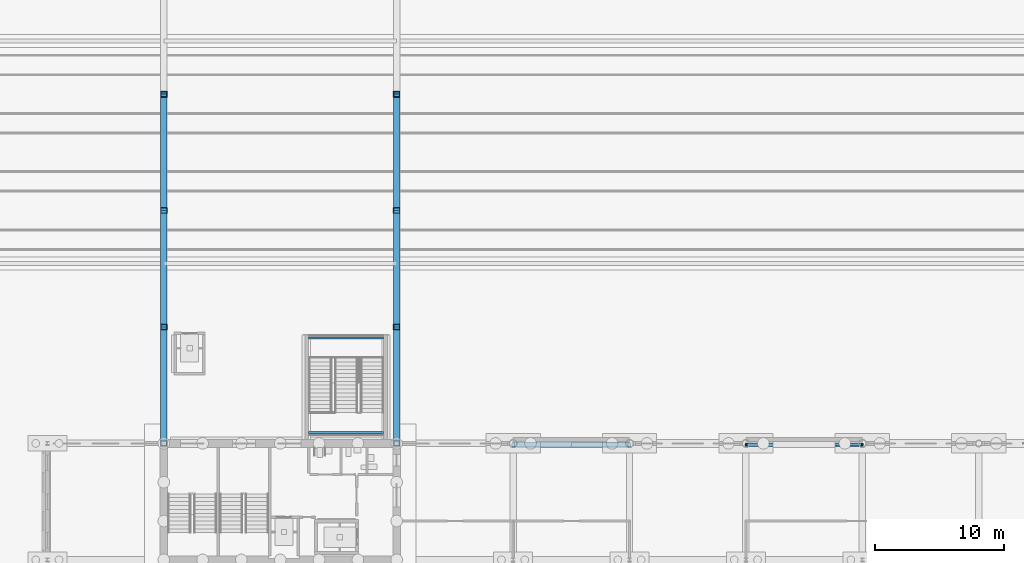
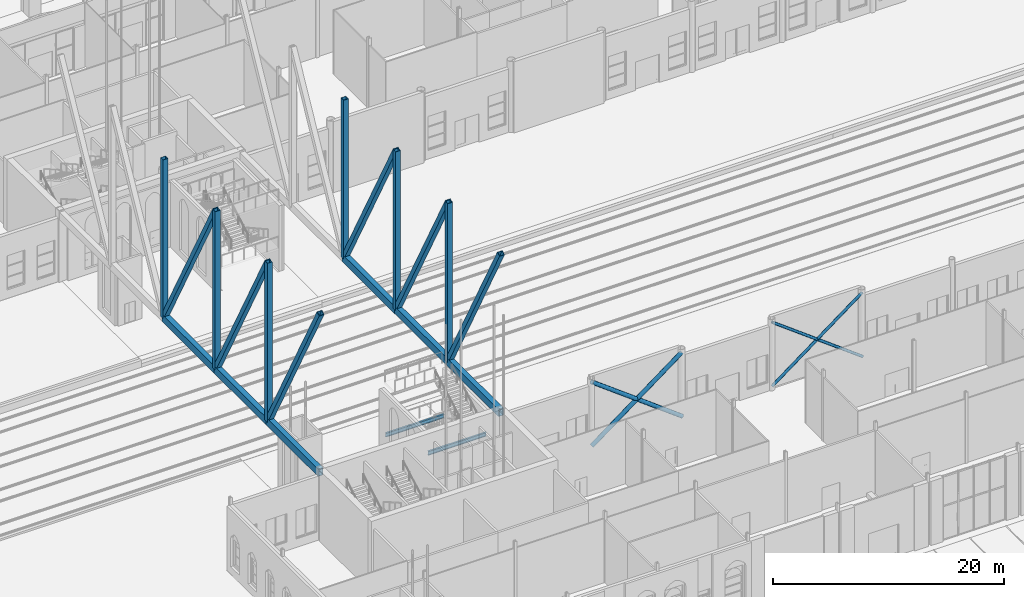
# One storey, part 39 of 250: 22 members, 2 beams.
"""IFC4 building model written with IfcOpenShell, lengths in metres."""

from ifc_helpers import new_model, si_unit, direction, frame, origin, origin_2d, place, context, subcontext, project, spatial, hollow_rectangle, hollow_circle, i_section, extrude, material, material_profile, profile_set, type_object, element, save


model = new_model("IFC4")

# Units and contexts
model_context = context("Model", 3, precision=1e-05, world=origin(), true_north=direction((0.0, 1.0)))
body_context = subcontext(model_context, "Body", "Model", "MODEL_VIEW")
ifc_project = project(units=[si_unit("LENGTHUNIT", "METRE"), si_unit("AREAUNIT", "SQUARE_METRE"), si_unit("VOLUMEUNIT", "CUBIC_METRE"), si_unit("PLANEANGLEUNIT", "RADIAN"), si_unit("MASSUNIT", "GRAM", prefix="KILO")], contexts=[model_context])

# Site, building, storey
site_placement = place(None, origin())
site = spatial("IfcSite", under=ifc_project, at=site_placement, CompositionType="ELEMENT")
building_placement = place(site_placement, origin())
building = spatial("IfcBuilding", under=site, at=building_placement, Name="Baradari Gate Terminus", CompositionType="ELEMENT")
storey_placement = place(building_placement, origin())
storey = spatial("IfcBuildingStorey", under=building, at=storey_placement, Name="L00", CompositionType="ELEMENT", Elevation=0.0)

# Members
ifc_material_1 = material(Name="Steel S355", Category="steel")
ifc_material_profile_1 = material_profile(ifc_material_1, hollow_circle(Radius=0.203125, WallThickness=0.01611328125, at=origin_2d()), Name="CHS 406.4x16")
ifc_profile_set_1 = profile_set([ifc_material_profile_1], Name="Steel S355")
member_type_1 = type_object("IfcMemberType", Name="Column bracing X01 CHS 406.4x16", PredefinedType="BRACE", material=ifc_profile_set_1)
for number, where, z_axis, x_axis, name in (
    (1, (99.0, 35.89990234375, 0.35009765625), (0.8, 0.0, 0.6), (0.0, 1.0, 0.0), "Column bracing 12-13 line E L00"),
    (2, (108.0, 35.89990234375, 0.35009765625), (-0.8, 0.0, 0.6), (0.0, -1.0, 0.0), "Column bracing 12-13 line E L00"),
):
    element("IfcMember", number, at=place(storey_placement, frame(where, z_axis=z_axis, x_axis=x_axis)), inside=storey, type_object=member_type_1, Name=name, PredefinedType="BRACE", context=body_context, shape_type="SweptSolid", body=[
        extrude(hollow_circle(Radius=0.203125, WallThickness=0.01611328125, at=origin_2d()), origin(), (0.0, 0.0, 1.0), 11.25),
    ])
ifc_material_2 = material(Name="Steel S355", Category="steel")
ifc_material_profile_2 = material_profile(ifc_material_2, hollow_circle(Radius=0.136474609375, WallThickness=0.01611328125, at=origin_2d()), Name="CHS 273x16")
ifc_profile_set_2 = profile_set([ifc_material_profile_2], Name="Steel S355")
member_type_2 = type_object("IfcMemberType", Name="Column bracing X03 CHS 273x16", PredefinedType="BRACE", material=ifc_profile_set_2)
for number, where, z_axis, x_axis, name in (
    (3, (117.0, 35.89990234375, 0.35009765625), (0.8, 0.0, 0.6), (0.0, 1.0, 0.0), "Column bracing 14-15 line E L00"),
    (4, (126.0, 35.89990234375, 0.35009765625), (-0.8, 0.0, 0.6), (0.0, -1.0, 0.0), "Column bracing 14-15 line E L00"),
):
    element("IfcMember", number, at=place(storey_placement, frame(where, z_axis=z_axis, x_axis=x_axis)), inside=storey, type_object=member_type_2, Name=name, PredefinedType="BRACE", context=body_context, shape_type="SweptSolid", body=[
        extrude(hollow_circle(Radius=0.136474609375, WallThickness=0.01611328125, at=origin_2d()), origin(), (0.0, 0.0, 1.0), 11.25),
    ])

# Beams
ifc_material_3 = material(Name="Steel S355", Category="steel")
ifc_material_profile_3 = material_profile(ifc_material_3, i_section(OverallWidth=0.177978515625, OverallDepth=0.406494140625, WebThickness=0.0078125, FlangeThickness=0.0126953125, FilletRadius=0.01025390625, at=origin_2d()), Name="UB 406x178x60")
ifc_profile_set_3 = profile_set([ifc_material_profile_3], Name="Steel S355")
beam_type_1 = type_object("IfcBeamType", Name="Landing girder B69 UB 406x178x60", PredefinedType="BEAM", material=ifc_profile_set_3)
beam_1_placement = place(storey_placement, frame((83.199951171875, 44.14990234375, 2.046875), z_axis=(1.0, 0.0, 0.0), x_axis=(0.0, 1.0, 0.0)))
element("IfcBeam", 5, at=beam_1_placement, inside=storey, type_object=beam_type_1, Name="B69 landing beam PS-1/L1", PredefinedType="BEAM", context=body_context, shape_type="SweptSolid", body=[
    extrude(i_section(OverallWidth=0.177978515625, OverallDepth=0.406494140625, WebThickness=0.0078125, FlangeThickness=0.0126953125, FilletRadius=0.01025390625, at=origin_2d()), origin(), (0.0, 0.0, 1.0), 5.800048828125),
])
ifc_material_4 = material(Name="Steel S355", Category="steel")
ifc_material_profile_4 = material_profile(ifc_material_4, i_section(OverallWidth=0.177978515625, OverallDepth=0.406494140625, WebThickness=0.0078125, FlangeThickness=0.0126953125, FilletRadius=0.01025390625, at=origin_2d()), Name="UB 406x178x60")
ifc_profile_set_4 = profile_set([ifc_material_profile_4], Name="Steel S355")
beam_type_2 = type_object("IfcBeamType", Name="Landing girder B70 UB 406x178x60", PredefinedType="BEAM", material=ifc_profile_set_4)
beam_2_placement = place(storey_placement, frame((83.199951171875, 36.85009765625, 4.546875), z_axis=(1.0, 0.0, 0.0), x_axis=(0.0, 1.0, 0.0)))
element("IfcBeam", 6, at=beam_2_placement, inside=storey, type_object=beam_type_2, Name="B70 landing beam PS-1/L2", PredefinedType="BEAM", context=body_context, shape_type="SweptSolid", body=[
    extrude(i_section(OverallWidth=0.177978515625, OverallDepth=0.406494140625, WebThickness=0.0078125, FlangeThickness=0.0126953125, FilletRadius=0.01025390625, at=origin_2d()), origin(), (0.0, 0.0, 1.0), 5.800048828125),
])

# Members
ifc_material_5 = material(Name="Steel S355", Category="steel")
ifc_material_profile_5 = material_profile(ifc_material_5, hollow_rectangle(XDim=0.5, YDim=0.77001953125, WallThickness=0.0400390625, at=origin_2d()), Name="FB 500x770x40")
ifc_profile_set_5 = profile_set([ifc_material_profile_5], Name="Steel S355")
member_type_3 = type_object("IfcMemberType", Name="Transfer truss bottom chord FB 500x770x40", PredefinedType="CHORD", material=ifc_profile_set_5)
for number, where, z_axis, x_axis, name in (
    (7, (72.0, 36.0, 6.985107421875), (0.0, 1.0, 0.0), (-1.0, 0.0, 0.0), "TR/L00/G72-BC0"),
    (8, (72.0, 45.0, 6.985107421875), (0.0, 1.0, 0.0), (-1.0, 0.0, 0.0), "TR/L00/G72-BC1"),
    (9, (72.0, 54.0, 6.985107421875), (0.0, 1.0, 0.0), (-1.0, 0.0, 0.0), "TR/L00/G72-BC2"),
    (10, (90.0, 36.0, 6.985107421875), (0.0, 1.0, 0.0), (-1.0, 0.0, 0.0), "TR/L00/G90-BC0"),
    (11, (90.0, 45.0, 6.985107421875), (0.0, 1.0, 0.0), (-1.0, 0.0, 0.0), "TR/L00/G90-BC1"),
    (12, (90.0, 54.0, 6.985107421875), (0.0, 1.0, 0.0), (-1.0, 0.0, 0.0), "TR/L00/G90-BC2"),
):
    element("IfcMember", number, at=place(storey_placement, frame(where, z_axis=z_axis, x_axis=x_axis)), inside=storey, type_object=member_type_3, Name=name, PredefinedType="CHORD", context=body_context, shape_type="SweptSolid", body=[
        extrude(hollow_rectangle(XDim=0.5, YDim=0.77001953125, WallThickness=0.0400390625, at=origin_2d()), origin(), (0.0, 0.0, 1.0), 9.0),
    ])
ifc_material_6 = material(Name="Steel S355", Category="steel")
ifc_material_profile_6 = material_profile(ifc_material_6, hollow_rectangle(XDim=0.5, YDim=0.449951171875, WallThickness=0.031982421875, at=origin_2d()), Name="FB 500x450x32")
ifc_profile_set_6 = profile_set([ifc_material_profile_6], Name="Steel S355")
member_type_4 = type_object("IfcMemberType", Name="Transfer truss diagonal FB 500x450x32", PredefinedType="BRACE", material=ifc_profile_set_6)
for number, where, z_axis, x_axis, name in (
    (13, (72.0, 36.0, 23.75), (0.0, 0.472989241407, -0.881068202532), (-1.0, 0.0, 0.0), "TR/L00/G72-GD0"),
    (14, (72.0, 45.0, 23.75), (0.0, 0.472989241407, -0.881068202532), (-1.0, 0.0, 0.0), "TR/L00/G72-GD1"),
    (15, (72.0, 54.0, 23.75), (0.0, 0.472989241407, -0.881068202532), (-1.0, 0.0, 0.0), "TR/L00/G72-GD2"),
    (16, (90.0, 36.0, 23.75), (0.0, 0.472989241407, -0.881068202532), (-1.0, 0.0, 0.0), "TR/L00/G90-GD0"),
    (17, (90.0, 45.0, 23.75), (0.0, 0.472989241407, -0.881068202532), (-1.0, 0.0, 0.0), "TR/L00/G90-GD1"),
    (18, (90.0, 54.0, 23.75), (0.0, 0.472989241407, -0.881068202532), (-1.0, 0.0, 0.0), "TR/L00/G90-GD2"),
):
    element("IfcMember", number, at=place(storey_placement, frame(where, z_axis=z_axis, x_axis=x_axis)), inside=storey, type_object=member_type_4, Name=name, PredefinedType="BRACE", context=body_context, shape_type="SweptSolid", body=[
        extrude(hollow_rectangle(XDim=0.5, YDim=0.449951171875, WallThickness=0.031982421875, at=origin_2d()), origin(), (0.0, 0.0, 1.0), 19.02783203125),
    ])
ifc_material_7 = material(Name="Steel S355", Category="steel")
ifc_material_profile_7 = material_profile(ifc_material_7, hollow_rectangle(XDim=0.5, YDim=0.449951171875, WallThickness=0.02490234375, at=origin_2d()), Name="FB 500x450x25")
ifc_profile_set_7 = profile_set([ifc_material_profile_7], Name="Steel S355")
member_type_5 = type_object("IfcMemberType", Name="Transfer truss post FB 500x450x25", PredefinedType="POST", material=ifc_profile_set_7)
for number, where, z_axis, x_axis, name in (
    (19, (72.0, 45.0, 6.985107421875), (0.0, 0.0, 1.0), (1.0, 0.0, 0.0), "TR/L00/G72-GP1"),
    (20, (72.0, 54.0, 6.985107421875), (0.0, 0.0, 1.0), (1.0, 0.0, 0.0), "TR/L00/G72-GP2"),
    (21, (72.0, 63.0, 6.985107421875), (0.0, 0.0, 1.0), (1.0, 0.0, 0.0), "TR/L00/G72-GP3"),
    (22, (90.0, 45.0, 6.985107421875), (0.0, 0.0, 1.0), (1.0, 0.0, 0.0), "TR/L00/G90-GP1"),
    (23, (90.0, 54.0, 6.985107421875), (0.0, 0.0, 1.0), (1.0, 0.0, 0.0), "TR/L00/G90-GP2"),
    (24, (90.0, 63.0, 6.985107421875), (0.0, 0.0, 1.0), (1.0, 0.0, 0.0), "TR/L00/G90-GP3"),
):
    element("IfcMember", number, at=place(storey_placement, frame(where, z_axis=z_axis, x_axis=x_axis)), inside=storey, type_object=member_type_5, Name=name, PredefinedType="POST", context=body_context, shape_type="SweptSolid", body=[
        extrude(hollow_rectangle(XDim=0.5, YDim=0.449951171875, WallThickness=0.02490234375, at=origin_2d()), origin(), (0.0, 0.0, 1.0), 16.764892578125),
    ])

save(model, "model.ifc")
